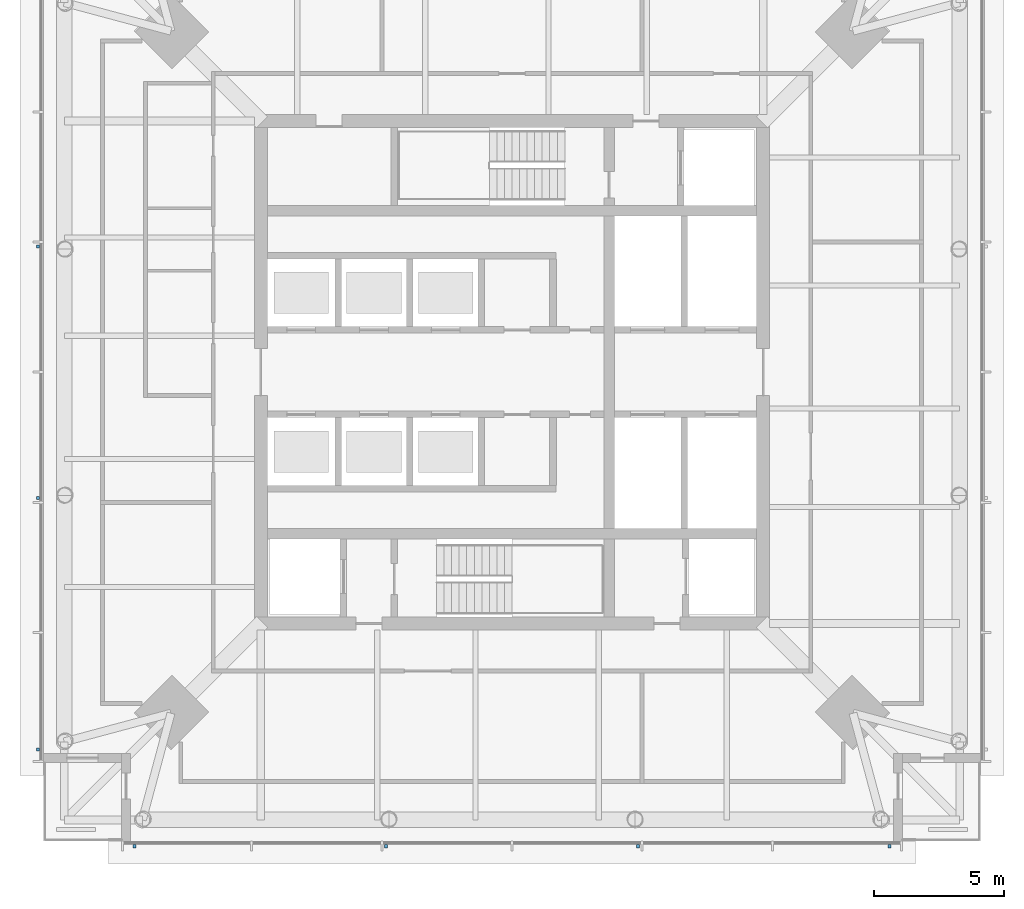
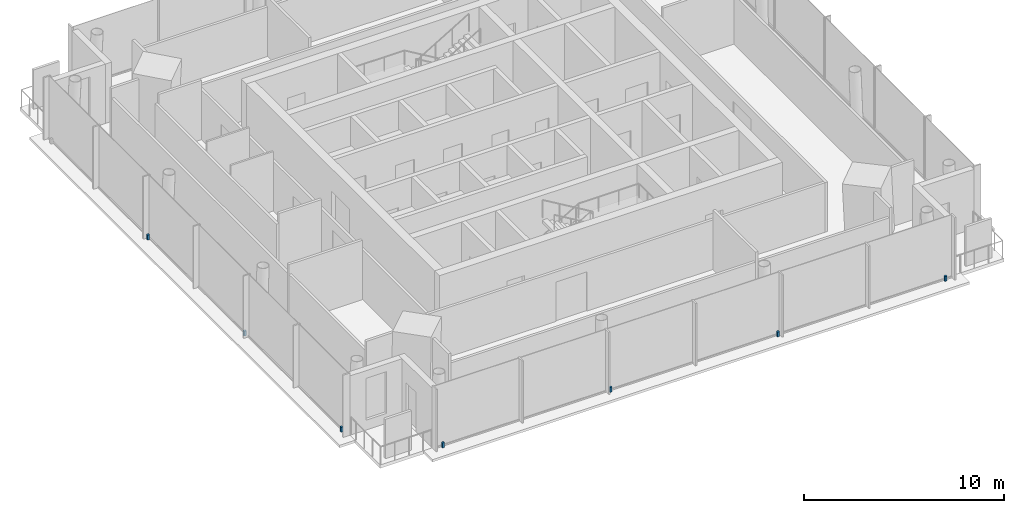
# One storey, part 6 of 10: 7 discrete accessories.
"""IFC4 building model written with IfcOpenShell, lengths in metres."""

from ifc_helpers import new_model, si_unit, direction, frame, origin, origin_2d, place, context, subcontext, project, spatial, rectangle, extrude, material, type_object, element, save


model = new_model("IFC4")

# Units and contexts
model_context = context("Model", 3, precision=1e-05, world=origin(), true_north=direction((0.0, 1.0)))
body_context = subcontext(model_context, "Body", "Model", "MODEL_VIEW")
ifc_project = project(units=[si_unit("LENGTHUNIT", "METRE"), si_unit("AREAUNIT", "SQUARE_METRE"), si_unit("VOLUMEUNIT", "CUBIC_METRE"), si_unit("PLANEANGLEUNIT", "RADIAN"), si_unit("MASSUNIT", "GRAM", prefix="KILO")], contexts=[model_context])

# Site, building, storey
site_placement = place(None, origin())
site = spatial("IfcSite", under=ifc_project, at=site_placement, CompositionType="ELEMENT")
building_placement = place(site_placement, origin())
building = spatial("IfcBuilding", under=site, at=building_placement, Name="Ostroluk Exchange", CompositionType="ELEMENT")
storey_placement = place(building_placement, frame((0.0, 0.0, 233.800048828125)))
storey = spatial("IfcBuildingStorey", under=building, at=storey_placement, Name="L60", CompositionType="ELEMENT", Elevation=233.800048828125)

# Discrete accessories
ifc_material = material(Name="Stainless steel", Category="steel")
discrete_accessory_type = type_object("IfcDiscreteAccessoryType", Name="Fall-arrest anchor PN-EN 795 type C", PredefinedType="USERDEFINED", material=ifc_material)
for number, where, z_axis, x_axis, name in (
    (1, (30.5, 27.7900390625, 0.0), (0.0, 0.0, 1.0), (1.0, 0.0, 0.0), "Fall-arrest anchor L60 south 1"),
    (2, (40.166748046875, 27.7900390625, 0.0), (0.0, 0.0, 1.0), (1.0, 0.0, 0.0), "Fall-arrest anchor L60 south 2"),
    (3, (49.833251953125, 27.7900390625, 0.0), (0.0, 0.0, 1.0), (1.0, 0.0, 0.0), "Fall-arrest anchor L60 south 3"),
    (4, (59.5, 27.7900390625, 0.0), (0.0, 0.0, 1.0), (1.0, 0.0, 0.0), "Fall-arrest anchor L60 south 4"),
    (5, (26.7900390625, 31.5, 0.0), (0.0, 0.0, 1.0), (1.0, 0.0, 0.0), "Fall-arrest anchor L60 west 1"),
    (6, (26.7900390625, 41.166748046875, 0.0), (0.0, 0.0, 1.0), (1.0, 0.0, 0.0), "Fall-arrest anchor L60 west 2"),
    (7, (26.7900390625, 50.833251953125, 0.0), (0.0, 0.0, 1.0), (1.0, 0.0, 0.0), "Fall-arrest anchor L60 west 3"),
):
    element("IfcDiscreteAccessory", number, at=place(storey_placement, frame(where, z_axis=z_axis, x_axis=x_axis)), inside=storey, type_object=discrete_accessory_type, Name=name, ObjectType="FALL ARREST ANCHOR", PredefinedType="USERDEFINED", context=body_context, shape_type="SweptSolid", body=[
        extrude(rectangle(XDim=0.1201171875, YDim=0.1201171875, at=origin_2d()), origin(), (0.0, 0.0, 1.0), 0.300048828125),
    ])

save(model, "model.ifc")
